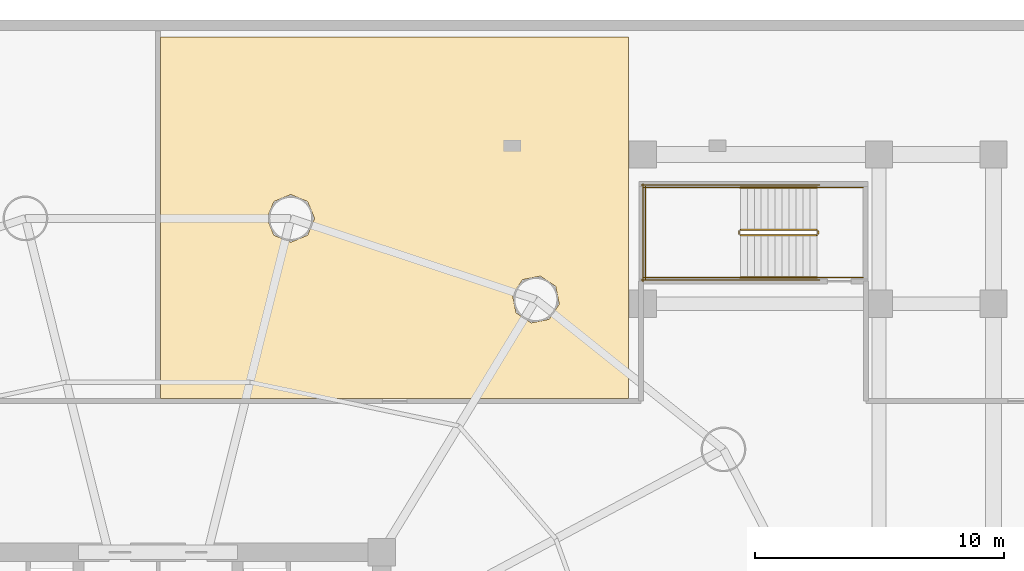
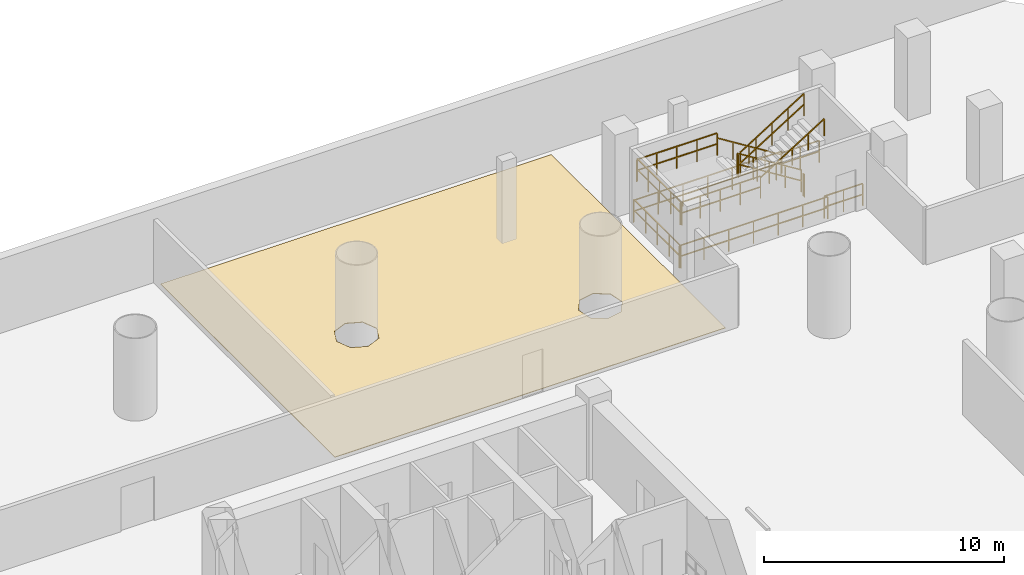
# One storey, part 11 of 11: 14 railings, 1 covering.
"""IFC4 building model written with IfcOpenShell, lengths in metres."""

import ifcopenshell
import ifcopenshell.guid

model = None  # the IFC model being written
_history = None  # IfcOwnerHistory: only IFC2X3 demands one
_inside = {}  # id of a spatial element -> (the spatial element, [elements in it])
_under = {}  # id of a project, library or spatial element -> (it, [spatial elements below it])
_declared = {}  # id of a project -> (the project, [libraries it declares])
_typed = {}  # id of a type object -> (the type object, [elements of that type])
_made_of = {}  # id of a material, layer set ... -> (it, [elements and type objects made of it])


def new_model(schema):
    """Start an empty IFC model of exactly this schema.

    Asked for "IFC4X3", IfcOpenShell would pick the latest addendum, in which some entities
    have other attributes; the version numbers below select the first issue.
    IFC2X3 requires an IfcOwnerHistory on every rooted entity: one is made here for all.
    """
    global model, _history
    if schema == "IFC4X3":
        model = ifcopenshell.file(schema_version=(4, 3, 0, 0))
    else:
        model = ifcopenshell.file(schema=schema)
    _inside.clear()
    _under.clear()
    _declared.clear()
    _typed.clear()
    _made_of.clear()
    _history = None
    if model.schema == "IFC2X3":
        org = make("IfcOrganization", Name="unknown")
        user = make(
            "IfcPersonAndOrganization",
            ThePerson=make("IfcPerson", FamilyName="unknown"),
            TheOrganization=org,
        )
        app = make(
            "IfcApplication",
            ApplicationDeveloper=org,
            Version="unknown",
            ApplicationFullName="unknown",
            ApplicationIdentifier="unknown",
        )
        _history = make(
            "IfcOwnerHistory",
            OwningUser=user,
            OwningApplication=app,
            ChangeAction="ADDED",
            CreationDate=0,
        )
    return model


def make(cls, **values):
    """One entity of the class cls with the attributes given. An attribute that is None is left unset."""
    return model.create_entity(
        cls, **{name: value for name, value in values.items() if value is not None}
    )


def rooted(cls, **values):
    """An entity with a GlobalId (a new one), such as an element, a storey or a relation."""
    return make(cls, GlobalId=ifcopenshell.guid.new(), OwnerHistory=_history, **values)


def si_unit(unit_type, name, prefix=None):
    """IfcSIUnit, for example si_unit("LENGTHUNIT", "METRE", prefix="MILLI")."""
    return make("IfcSIUnit", UnitType=unit_type, Prefix=prefix, Name=name)


def assignment(units):
    """IfcUnitAssignment: the units of a project."""
    return None if units is None else make("IfcUnitAssignment", Units=units)


def point(xyz):
    """IfcCartesianPoint."""
    return None if xyz is None else make("IfcCartesianPoint", Coordinates=xyz)


def direction(xyz):
    """IfcDirection."""
    return None if xyz is None else make("IfcDirection", DirectionRatios=xyz)


def frame(location, z_axis=None, x_axis=None):
    """IfcAxis2Placement3D, a coordinate frame: its origin and axes. An axis left out is left unset."""
    return make(
        "IfcAxis2Placement3D",
        Location=point(location),
        Axis=direction(z_axis),
        RefDirection=direction(x_axis),
    )


def frame_2d(location, x_axis=None):
    """IfcAxis2Placement2D, a coordinate frame in the plane: its origin and x axis."""
    return make(
        "IfcAxis2Placement2D", Location=point(location), RefDirection=direction(x_axis)
    )


def origin():
    """The frame at (0, 0, 0) with its axes left unset."""
    return frame((0.0, 0.0, 0.0))


def origin_2d():
    """The frame at (0, 0) in the plane with its x axis left unset."""
    return frame_2d((0.0, 0.0))


def place(relative_to, where):
    """IfcLocalPlacement: puts the frame where relative to a parent placement (None: the world)."""
    return make(
        "IfcLocalPlacement", PlacementRelTo=relative_to, RelativePlacement=where
    )


def context(
    kind, dimensions, precision=None, world=None, true_north=None, identifier=None
):
    """IfcGeometricRepresentationContext, for example the 3D "Model" context."""
    return make(
        "IfcGeometricRepresentationContext",
        ContextIdentifier=identifier,
        ContextType=kind,
        CoordinateSpaceDimension=dimensions,
        Precision=precision,
        WorldCoordinateSystem=world,
        TrueNorth=true_north,
    )


def subcontext(parent, identifier, kind, view, scale=None):
    """IfcGeometricRepresentationSubContext, for example "Body" below "Model"."""
    return make(
        "IfcGeometricRepresentationSubContext",
        ContextIdentifier=identifier,
        ContextType=kind,
        ParentContext=parent,
        TargetScale=scale,
        TargetView=view,
    )


def project(units=None, contexts=None):
    """IfcProject with its units and contexts."""
    return rooted(
        "IfcProject",
        Name="project",
        RepresentationContexts=contexts,
        UnitsInContext=assignment(units),
    )


def spatial(cls, under=None, at=None, **own):
    """A site, building, storey or space (cls), placed at a placement, below another one or the project."""
    s = rooted(cls, ObjectPlacement=at, **own)
    if under is not None:
        _under.setdefault(under.id(), (under, []))[1].append(s)
    return s


def polyline(points):
    """IfcPolyline through the points."""
    return make("IfcPolyline", Points=[point(p) for p in points])


def profile(cls, at=None, kind="AREA", **sizes):
    """A parametric profile (cls). Its sizes go by their IFC names, for example OverallWidth=200.0."""
    return make(cls, ProfileType=kind, Position=at, **sizes)


def rectangle(**sizes):
    """IfcRectangleProfileDef."""
    return profile("IfcRectangleProfileDef", **sizes)


def outline(outer, holes=None, kind="AREA"):
    """IfcArbitraryClosedProfileDef: a profile drawn as a closed curve; with holes, ...WithVoids."""
    if holes is None:
        return make("IfcArbitraryClosedProfileDef", ProfileType=kind, OuterCurve=outer)
    return make(
        "IfcArbitraryProfileDefWithVoids",
        ProfileType=kind,
        OuterCurve=outer,
        InnerCurves=holes,
    )


def extrude(swept, where, along, depth):
    """IfcExtrudedAreaSolid: the profile swept, set in the frame where, extruded along a direction by depth."""
    return make(
        "IfcExtrudedAreaSolid",
        SweptArea=swept,
        Position=where,
        ExtrudedDirection=direction(along),
        Depth=depth,
    )


def shape(context_of_items, identifier, shape_type, items):
    """IfcShapeRepresentation: the items that make up one representation, for example the "Body"."""
    return make(
        "IfcShapeRepresentation",
        ContextOfItems=context_of_items,
        RepresentationIdentifier=identifier,
        RepresentationType=shape_type,
        Items=items,
    )


def material(Name=None, Category=None):
    """IfcMaterial."""
    return make("IfcMaterial", Name=Name, Category=Category)


def layer(
    of_material, thickness, ventilated=None, Name=None, Category=None, Priority=None
):
    """IfcMaterialLayer: one layer of a wall or slab, of a material (None: an air gap)."""
    return make(
        "IfcMaterialLayer",
        Material=of_material,
        LayerThickness=thickness,
        IsVentilated=ventilated,
        Name=Name,
        Category=Category,
        Priority=Priority,
    )


def layer_set(layers, Name=None):
    """IfcMaterialLayerSet."""
    return make("IfcMaterialLayerSet", MaterialLayers=layers, LayerSetName=Name)


def made_of(thing, what):
    """Note that an element or type object is made of a material, layer set ...; save() writes the relation."""
    if what is not None:
        _made_of.setdefault(what.id(), (what, []))[1].append(thing)
    return thing


def type_object(cls, material=None, **own):
    """A type object (cls), such as IfcWallType, which elements share."""
    return made_of(rooted(cls, **own), material)


def element(
    cls,
    number,
    at=None,
    inside=None,
    cuts=None,
    type_object=None,
    material=None,
    context=None,
    identifier="Body",
    shape_type=None,
    held_by="IfcProductDefinitionShape",
    body=None,
    shapes=None,
    **own,
):
    """One element of the class cls, such as IfcWall. Its Tag is "e" and its number.

    at: its placement. inside: the storey or other place that contains it. cuts: it is an
    opening in that element (IfcRelVoidsElement). A single representation is given by context,
    identifier, shape_type and body (its items); several are given by shapes. held_by: the class
    of the entity that holds the representations. save() writes the other relations.
    """
    e = rooted(cls, Tag="e%d" % number, ObjectPlacement=at, **own)
    if body is not None:
        shapes = [shape(context, identifier, shape_type, body)]
    if shapes is not None:
        e.Representation = make(held_by, Representations=shapes)
    if inside is not None:
        _inside.setdefault(inside.id(), (inside, []))[1].append(e)
    if cuts is not None:
        rooted(
            "IfcRelVoidsElement", RelatingBuildingElement=cuts, RelatedOpeningElement=e
        )
    if type_object is not None:
        _typed.setdefault(type_object.id(), (type_object, []))[1].append(e)
    return made_of(e, material)


def aggregate(whole, parts):
    """IfcRelAggregates: a whole, such as a stair, and the parts it consists of."""
    return rooted("IfcRelAggregates", RelatingObject=whole, RelatedObjects=parts)


def save(model, path):
    """Write the relations noted so far, then the file.

    IfcRelAggregates (storeys below a building ...), IfcRelContainedInSpatialStructure (elements
    in a storey), IfcRelDefinesByType, IfcRelAssociatesMaterial and IfcRelDeclares: one each for
    every whole, place, type object, material and project.
    """
    for whole, parts in _under.values():
        aggregate(whole, parts)
    for where, things in _inside.values():
        rooted(
            "IfcRelContainedInSpatialStructure",
            RelatedElements=things,
            RelatingStructure=where,
        )
    for kind, things in _typed.values():
        rooted("IfcRelDefinesByType", RelatedObjects=things, RelatingType=kind)
    for what, things in _made_of.values():
        rooted("IfcRelAssociatesMaterial", RelatedObjects=things, RelatingMaterial=what)
    for by, libraries in _declared.values():
        rooted("IfcRelDeclares", RelatingContext=by, RelatedDefinitions=libraries)
    model.write(path)


model = new_model("IFC4")

# Units and contexts
model_context = context("Model", 3, precision=1e-05, world=origin(), true_north=direction((-0.2419218956, 0.970295726276)))
body_context = subcontext(model_context, "Body", "Model", "MODEL_VIEW")
ifc_project = project(units=[si_unit("LENGTHUNIT", "METRE"), si_unit("AREAUNIT", "SQUARE_METRE"), si_unit("VOLUMEUNIT", "CUBIC_METRE"), si_unit("PLANEANGLEUNIT", "RADIAN"), si_unit("MASSUNIT", "GRAM", prefix="KILO")], contexts=[model_context])

# Site, building, storey
site_placement = place(None, origin())
site = spatial("IfcSite", under=ifc_project, at=site_placement, CompositionType="ELEMENT")
building_placement = place(site_placement, origin())
building = spatial("IfcBuilding", under=site, at=building_placement, Name="Cobrevalo Terracotta Tower", CompositionType="ELEMENT")
storey_placement = place(building_placement, frame((0.0, 0.0, -4.199951171875)))
storey = spatial("IfcBuildingStorey", under=building, at=storey_placement, Name="B01", CompositionType="ELEMENT", Elevation=-4.199951171875)

# Covering
ifc_material_1 = material(Name="Honed terracotta and granite tile", Category="masonry")
ifc_layer = layer(ifc_material_1, 0.034912109375)
ifc_layer_set = layer_set([ifc_layer], Name="Honed terracotta and granite tile")
covering_type = type_object("IfcCoveringType", Name="Honed Terracotta & Granite Interior Flooring 35", PredefinedType="FLOORING", material=ifc_layer_set)
covering_placement = place(storey_placement, origin())
element("IfcCovering", 1, at=covering_placement, inside=storey, type_object=covering_type, Name="Bicycle Storage Room floor finish", PredefinedType="FLOORING", context=body_context, shape_type="SweptSolid", body=[
    extrude(outline(polyline([(56.929931640625, 55.530029296875), (56.929931640625, 40.97998046875), (38.10009765625, 40.97998046875), (38.10009765625, 55.530029296875), (56.929931640625, 55.530029296875)]), holes=[polyline([(53.728271484375, 44.16943359375), (54.136474609375, 44.7802734375), (53.9931640625, 45.5009765625), (53.382080078125, 45.9091796875), (52.661376953125, 45.765869140625), (52.253173828125, 45.155029296875), (52.396484375, 44.434326171875), (53.007568359375, 44.02587890625), (53.728271484375, 44.16943359375)]), polyline([(44.0146484375, 47.55126953125), (44.2958984375, 48.230224609375), (44.0146484375, 48.908935546875), (43.335693359375, 49.190185546875), (42.65673828125, 48.908935546875), (42.375732421875, 48.230224609375), (42.65673828125, 47.55126953125), (43.335693359375, 47.27001953125), (44.0146484375, 47.55126953125)])]), origin(), (0.0, 0.0, 1.0), 0.030029296875),
])

# Railings
ifc_material_2 = material(Name="Brushed stainless steel", Category="steel")
railing_type_1 = type_object("IfcRailingType", Name="Stainless Steel Stair Handrail 900", PredefinedType="HANDRAIL", material=ifc_material_2)
railing_1_placement = place(storey_placement, frame((64.5, 49.469970703125, 0.175048828125)))
element("IfcRailing", 2, at=railing_1_placement, inside=storey, type_object=railing_type_1, Name="B01 ST-P2 stair handrail 1", PredefinedType="HANDRAIL", context=body_context, shape_type="SweptSolid", body=[
    extrude(rectangle(XDim=0.048095703125, YDim=0.048095703125, at=origin_2d()), frame((0.0, 0.0, 0.8759765625), z_axis=(-0.848028513186, 0.0, 0.529950602248), x_axis=(0.0, -1.0, 0.0)), (0.0, 0.0, 1.0), 3.632080078125),
    extrude(rectangle(XDim=0.0419921875, YDim=0.0419921875, at=origin_2d()), origin(), (0.0, 0.0, 1.0), 0.851806640625),
    extrude(rectangle(XDim=0.0419921875, YDim=0.0419921875, at=origin_2d()), frame((-0.77001953125, 0.0, 0.481201171875)), (0.0, 0.0, 1.0), 0.851806640625),
    extrude(rectangle(XDim=0.0419921875, YDim=0.0419921875, at=origin_2d()), frame((-1.5400390625, 0.0, 0.96240234375)), (0.0, 0.0, 1.0), 0.851806640625),
    extrude(rectangle(XDim=0.0419921875, YDim=0.0419921875, at=origin_2d()), frame((-2.31005859375, 0.0, 1.443603515625)), (0.0, 0.0, 1.0), 0.851806640625),
    extrude(rectangle(XDim=0.0419921875, YDim=0.0419921875, at=origin_2d()), frame((-3.080078125, 0.0, 1.9248046875)), (0.0, 0.0, 1.0), 0.851806640625),
])
railing_2_placement = place(storey_placement, frame((61.419921875, 45.85009765625, 2.27490234375)))
element("IfcRailing", 3, at=railing_2_placement, inside=storey, type_object=railing_type_1, Name="B01 ST-P2 stair handrail 2", PredefinedType="HANDRAIL", context=body_context, shape_type="SweptSolid", body=[
    extrude(rectangle(XDim=0.048095703125, YDim=0.048095703125, at=origin_2d()), frame((0.0, 0.0, 0.8759765625), z_axis=(0.847998304005, 0.0, 0.529998940003), x_axis=(0.0, 1.0, 0.0)), (0.0, 0.0, 1.0), 3.632080078125),
    extrude(rectangle(XDim=0.0419921875, YDim=0.0419921875, at=origin_2d()), origin(), (0.0, 0.0, 1.0), 0.851806640625),
    extrude(rectangle(XDim=0.0419921875, YDim=0.0419921875, at=origin_2d()), frame((0.77001953125, 0.0, 0.481201171875)), (0.0, 0.0, 1.0), 0.851806640625),
    extrude(rectangle(XDim=0.0419921875, YDim=0.0419921875, at=origin_2d()), frame((1.5400390625, 0.0, 0.96240234375)), (0.0, 0.0, 1.0), 0.851806640625),
    extrude(rectangle(XDim=0.0419921875, YDim=0.0419921875, at=origin_2d()), frame((2.31005859375, 0.0, 1.44384765625)), (0.0, 0.0, 1.0), 0.851806640625),
    extrude(rectangle(XDim=0.0419921875, YDim=0.0419921875, at=origin_2d()), frame((3.080078125, 0.0, 1.925048828125)), (0.0, 0.0, 1.0), 0.851806640625),
])
ifc_material_3 = material(Name="Painted galvanized steel", Category="steel")
railing_type_2 = type_object("IfcRailingType", Name="Stair Well Guard Balustrade 1150", PredefinedType="GUARDRAIL", material=ifc_material_3)
railing_3_placement = place(storey_placement, frame((64.5, 47.77001953125, 0.175048828125)))
element("IfcRailing", 4, at=railing_3_placement, inside=storey, type_object=railing_type_2, Name="B01 ST-P2 stair guard 1", PredefinedType="GUARDRAIL", context=body_context, shape_type="SweptSolid", body=[
    extrude(rectangle(XDim=0.048095703125, YDim=0.048095703125, at=origin_2d()), frame((0.0, 0.0, 1.1259765625), z_axis=(-0.848028513186, 0.0, 0.529950602248), x_axis=(0.0, -1.0, 0.0)), (0.0, 0.0, 1.0), 3.632080078125),
    extrude(rectangle(XDim=0.048095703125, YDim=0.048095703125, at=origin_2d()), frame((0.0, 0.0, 0.574951171875), z_axis=(-0.848028513186, 0.0, 0.529950602248), x_axis=(0.0, -1.0, 0.0)), (0.0, 0.0, 1.0), 3.632080078125),
    extrude(rectangle(XDim=0.0419921875, YDim=0.0419921875, at=origin_2d()), origin(), (0.0, 0.0, 1.0), 1.101806640625),
    extrude(rectangle(XDim=0.0419921875, YDim=0.0419921875, at=origin_2d()), frame((-0.77001953125, 0.0, 0.481201171875)), (0.0, 0.0, 1.0), 1.101806640625),
    extrude(rectangle(XDim=0.0419921875, YDim=0.0419921875, at=origin_2d()), frame((-1.5400390625, 0.0, 0.96240234375)), (0.0, 0.0, 1.0), 1.101806640625),
    extrude(rectangle(XDim=0.0419921875, YDim=0.0419921875, at=origin_2d()), frame((-2.31005859375, 0.0, 1.443603515625)), (0.0, 0.0, 1.0), 1.101806640625),
    extrude(rectangle(XDim=0.0419921875, YDim=0.0419921875, at=origin_2d()), frame((-3.080078125, 0.0, 1.9248046875)), (0.0, 0.0, 1.0), 1.101806640625),
])
railing_4_placement = place(storey_placement, frame((61.3701171875, 47.719970703125, 2.099853515625)))
element("IfcRailing", 5, at=railing_4_placement, inside=storey, type_object=railing_type_2, Name="B01 ST-P2 stair guard 2", PredefinedType="GUARDRAIL", context=body_context, shape_type="SweptSolid", body=[
    extrude(rectangle(XDim=0.048095703125, YDim=0.048095703125, at=origin_2d()), frame((0.0, 0.0, 1.1259765625), z_axis=(0.0, -1.0, 0.0), x_axis=(1.0, 0.0, 0.0)), (0.0, 0.0, 1.0), 0.119873046875),
    extrude(rectangle(XDim=0.048095703125, YDim=0.048095703125, at=origin_2d()), frame((0.0, 0.0, 0.574951171875), z_axis=(0.0, -1.0, 0.0), x_axis=(1.0, 0.0, 0.0)), (0.0, 0.0, 1.0), 0.119873046875),
    extrude(rectangle(XDim=0.0419921875, YDim=0.0419921875, at=origin_2d()), origin(), (0.0, 0.0, 1.0), 1.101806640625),
    extrude(rectangle(XDim=0.0419921875, YDim=0.0419921875, at=origin_2d()), frame((0.0, -0.119873046875, 0.0)), (0.0, 0.0, 1.0), 1.101806640625),
])
for number, where, name in (
    (6, (61.419921875, 49.469970703125, 2.099853515625), "B01 ST-P2 stair guard 3"),
    (7, (61.419921875, 45.85009765625, 2.099853515625), "B01 ST-P2 stair guard 4"),
):
    element("IfcRailing", number, at=place(storey_placement, frame(where)), inside=storey, type_object=railing_type_2, Name=name, PredefinedType="GUARDRAIL", context=body_context, shape_type="SweptSolid", body=[
        extrude(rectangle(XDim=0.048095703125, YDim=0.048095703125, at=origin_2d()), frame((0.0, 0.0, 1.1259765625), z_axis=(-1.0, 0.0, 0.0), x_axis=(0.0, -1.0, 0.0)), (0.0, 0.0, 1.0), 3.869873046875),
        extrude(rectangle(XDim=0.048095703125, YDim=0.048095703125, at=origin_2d()), frame((0.0, 0.0, 0.574951171875), z_axis=(-1.0, 0.0, 0.0), x_axis=(0.0, -1.0, 0.0)), (0.0, 0.0, 1.0), 3.869873046875),
        extrude(rectangle(XDim=0.0419921875, YDim=0.0419921875, at=origin_2d()), origin(), (0.0, 0.0, 1.0), 1.101806640625),
        extrude(rectangle(XDim=0.0419921875, YDim=0.0419921875, at=origin_2d()), frame((-0.967529296875, 0.0, 0.0)), (0.0, 0.0, 1.0), 1.101806640625),
        extrude(rectangle(XDim=0.0419921875, YDim=0.0419921875, at=origin_2d()), frame((-1.93505859375, 0.0, 0.0)), (0.0, 0.0, 1.0), 1.101806640625),
        extrude(rectangle(XDim=0.0419921875, YDim=0.0419921875, at=origin_2d()), frame((-2.90234375, 0.0, 0.0)), (0.0, 0.0, 1.0), 1.101806640625),
        extrude(rectangle(XDim=0.0419921875, YDim=0.0419921875, at=origin_2d()), frame((-3.869873046875, 0.0, 0.0)), (0.0, 0.0, 1.0), 1.101806640625),
    ])
railing_5_placement = place(storey_placement, frame((57.60009765625, 49.52001953125, 2.099853515625)))
element("IfcRailing", 8, at=railing_5_placement, inside=storey, type_object=railing_type_2, Name="B01 ST-P2 stair guard 5", PredefinedType="GUARDRAIL", context=body_context, shape_type="SweptSolid", body=[
    extrude(rectangle(XDim=0.048095703125, YDim=0.048095703125, at=origin_2d()), frame((0.0, 0.0, 1.1259765625), z_axis=(0.0, -1.0, 0.0), x_axis=(1.0, 0.0, 0.0)), (0.0, 0.0, 1.0), 3.719970703125),
    extrude(rectangle(XDim=0.048095703125, YDim=0.048095703125, at=origin_2d()), frame((0.0, 0.0, 0.574951171875), z_axis=(0.0, -1.0, 0.0), x_axis=(1.0, 0.0, 0.0)), (0.0, 0.0, 1.0), 3.719970703125),
    extrude(rectangle(XDim=0.0419921875, YDim=0.0419921875, at=origin_2d()), origin(), (0.0, 0.0, 1.0), 1.101806640625),
    extrude(rectangle(XDim=0.0419921875, YDim=0.0419921875, at=origin_2d()), frame((0.0, -0.929931640625, 0.0)), (0.0, 0.0, 1.0), 1.101806640625),
    extrude(rectangle(XDim=0.0419921875, YDim=0.0419921875, at=origin_2d()), frame((0.0, -1.85986328125, 0.0)), (0.0, 0.0, 1.0), 1.101806640625),
    extrude(rectangle(XDim=0.0419921875, YDim=0.0419921875, at=origin_2d()), frame((0.0, -2.7900390625, 0.0)), (0.0, 0.0, 1.0), 1.101806640625),
    extrude(rectangle(XDim=0.0419921875, YDim=0.0419921875, at=origin_2d()), frame((0.0, -3.719970703125, 0.0)), (0.0, 0.0, 1.0), 1.101806640625),
])
railing_6_placement = place(storey_placement, frame((61.419921875, 47.550048828125, 2.27490234375)))
element("IfcRailing", 9, at=railing_6_placement, inside=storey, type_object=railing_type_2, Name="B01 ST-P2 stair guard 6", PredefinedType="GUARDRAIL", context=body_context, shape_type="SweptSolid", body=[
    extrude(rectangle(XDim=0.048095703125, YDim=0.048095703125, at=origin_2d()), frame((0.0, 0.0, 1.1259765625), z_axis=(0.847998304005, 0.0, 0.529998940003), x_axis=(0.0, 1.0, 0.0)), (0.0, 0.0, 1.0), 3.632080078125),
    extrude(rectangle(XDim=0.048095703125, YDim=0.048095703125, at=origin_2d()), frame((0.0, 0.0, 0.574951171875), z_axis=(0.847998304005, 0.0, 0.529998940003), x_axis=(0.0, 1.0, 0.0)), (0.0, 0.0, 1.0), 3.632080078125),
    extrude(rectangle(XDim=0.0419921875, YDim=0.0419921875, at=origin_2d()), origin(), (0.0, 0.0, 1.0), 1.101806640625),
    extrude(rectangle(XDim=0.0419921875, YDim=0.0419921875, at=origin_2d()), frame((0.77001953125, 0.0, 0.481201171875)), (0.0, 0.0, 1.0), 1.101806640625),
    extrude(rectangle(XDim=0.0419921875, YDim=0.0419921875, at=origin_2d()), frame((1.5400390625, 0.0, 0.96240234375)), (0.0, 0.0, 1.0), 1.101806640625),
    extrude(rectangle(XDim=0.0419921875, YDim=0.0419921875, at=origin_2d()), frame((2.31005859375, 0.0, 1.44384765625)), (0.0, 0.0, 1.0), 1.101806640625),
    extrude(rectangle(XDim=0.0419921875, YDim=0.0419921875, at=origin_2d()), frame((3.080078125, 0.0, 1.925048828125)), (0.0, 0.0, 1.0), 1.101806640625),
])
railing_7_placement = place(storey_placement, frame((64.550048828125, 47.719970703125, 0.0)))
element("IfcRailing", 10, at=railing_7_placement, inside=storey, type_object=railing_type_2, Name="B01 ST-P2 stair guard 7", PredefinedType="GUARDRAIL", context=body_context, shape_type="SweptSolid", body=[
    extrude(rectangle(XDim=0.048095703125, YDim=0.048095703125, at=origin_2d()), frame((0.0, 0.0, 1.1259765625), z_axis=(0.0, -1.0, 0.0), x_axis=(1.0, 0.0, 0.0)), (0.0, 0.0, 1.0), 0.119873046875),
    extrude(rectangle(XDim=0.048095703125, YDim=0.048095703125, at=origin_2d()), frame((0.0, 0.0, 0.574951171875), z_axis=(0.0, -1.0, 0.0), x_axis=(1.0, 0.0, 0.0)), (0.0, 0.0, 1.0), 0.119873046875),
    extrude(rectangle(XDim=0.0419921875, YDim=0.0419921875, at=origin_2d()), origin(), (0.0, 0.0, 1.0), 1.101806640625),
    extrude(rectangle(XDim=0.0419921875, YDim=0.0419921875, at=origin_2d()), frame((0.0, -0.119873046875, 0.0)), (0.0, 0.0, 1.0), 1.101806640625),
])
for number, where, name in (
    (11, (66.35009765625, 49.469970703125, 0.0), "B01 ST-P2 stair guard 8"),
    (12, (66.35009765625, 45.85009765625, 0.0), "B01 ST-P2 stair guard 9"),
):
    element("IfcRailing", number, at=place(storey_placement, frame(where)), inside=storey, type_object=railing_type_2, Name=name, PredefinedType="GUARDRAIL", context=body_context, shape_type="SweptSolid", body=[
        extrude(rectangle(XDim=0.048095703125, YDim=0.048095703125, at=origin_2d()), frame((0.0, 0.0, 1.1259765625), z_axis=(-1.0, 0.0, 0.0), x_axis=(0.0, -1.0, 0.0)), (0.0, 0.0, 1.0), 1.85009765625),
        extrude(rectangle(XDim=0.048095703125, YDim=0.048095703125, at=origin_2d()), frame((0.0, 0.0, 0.574951171875), z_axis=(-1.0, 0.0, 0.0), x_axis=(0.0, -1.0, 0.0)), (0.0, 0.0, 1.0), 1.85009765625),
        extrude(rectangle(XDim=0.0419921875, YDim=0.0419921875, at=origin_2d()), origin(), (0.0, 0.0, 1.0), 1.101806640625),
        extrude(rectangle(XDim=0.0419921875, YDim=0.0419921875, at=origin_2d()), frame((-0.925048828125, 0.0, 0.0)), (0.0, 0.0, 1.0), 1.101806640625),
        extrude(rectangle(XDim=0.0419921875, YDim=0.0419921875, at=origin_2d()), frame((-1.85009765625, 0.0, 0.0)), (0.0, 0.0, 1.0), 1.101806640625),
    ])
for number, where, name in (
    (13, (64.60009765625, 49.570068359375, 0.0), "B01 ST-P2 stair guard 10"),
    (14, (64.60009765625, 45.75, 0.0), "B01 ST-P2 stair guard 11"),
):
    element("IfcRailing", number, at=place(storey_placement, frame(where)), inside=storey, type_object=railing_type_2, Name=name, PredefinedType="GUARDRAIL", context=body_context, shape_type="SweptSolid", body=[
        extrude(rectangle(XDim=0.048095703125, YDim=0.048095703125, at=origin_2d()), frame((0.0, 0.0, 1.1259765625), z_axis=(-1.0, 0.0, 0.0), x_axis=(0.0, -1.0, 0.0)), (0.0, 0.0, 1.0), 7.150146484375),
        extrude(rectangle(XDim=0.048095703125, YDim=0.048095703125, at=origin_2d()), frame((0.0, 0.0, 0.574951171875), z_axis=(-1.0, 0.0, 0.0), x_axis=(0.0, -1.0, 0.0)), (0.0, 0.0, 1.0), 7.150146484375),
        extrude(rectangle(XDim=0.0419921875, YDim=0.0419921875, at=origin_2d()), origin(), (0.0, 0.0, 1.0), 1.101806640625),
        extrude(rectangle(XDim=0.0419921875, YDim=0.0419921875, at=origin_2d()), frame((-1.191650390625, 0.0, 0.0)), (0.0, 0.0, 1.0), 1.101806640625),
        extrude(rectangle(XDim=0.0419921875, YDim=0.0419921875, at=origin_2d()), frame((-2.38330078125, 0.0, 0.0)), (0.0, 0.0, 1.0), 1.101806640625),
        extrude(rectangle(XDim=0.0419921875, YDim=0.0419921875, at=origin_2d()), frame((-3.5751953125, 0.0, 0.0)), (0.0, 0.0, 1.0), 1.101806640625),
        extrude(rectangle(XDim=0.0419921875, YDim=0.0419921875, at=origin_2d()), frame((-4.766845703125, 0.0, 0.0)), (0.0, 0.0, 1.0), 1.101806640625),
        extrude(rectangle(XDim=0.0419921875, YDim=0.0419921875, at=origin_2d()), frame((-5.95849609375, 0.0, 0.0)), (0.0, 0.0, 1.0), 1.101806640625),
        extrude(rectangle(XDim=0.0419921875, YDim=0.0419921875, at=origin_2d()), frame((-7.150146484375, 0.0, 0.0)), (0.0, 0.0, 1.0), 1.101806640625),
    ])
railing_8_placement = place(storey_placement, frame((57.5, 49.6201171875, 0.0)))
element("IfcRailing", 15, at=railing_8_placement, inside=storey, type_object=railing_type_2, Name="B01 ST-P2 stair guard 12", PredefinedType="GUARDRAIL", context=body_context, shape_type="SweptSolid", body=[
    extrude(rectangle(XDim=0.048095703125, YDim=0.048095703125, at=origin_2d()), frame((0.0, 0.0, 1.1259765625), z_axis=(0.0, -1.0, 0.0), x_axis=(1.0, 0.0, 0.0)), (0.0, 0.0, 1.0), 3.920166015625),
    extrude(rectangle(XDim=0.048095703125, YDim=0.048095703125, at=origin_2d()), frame((0.0, 0.0, 0.574951171875), z_axis=(0.0, -1.0, 0.0), x_axis=(1.0, 0.0, 0.0)), (0.0, 0.0, 1.0), 3.920166015625),
    extrude(rectangle(XDim=0.0419921875, YDim=0.0419921875, at=origin_2d()), origin(), (0.0, 0.0, 1.0), 1.101806640625),
    extrude(rectangle(XDim=0.0419921875, YDim=0.0419921875, at=origin_2d()), frame((0.0, -0.97998046875, 0.0)), (0.0, 0.0, 1.0), 1.101806640625),
    extrude(rectangle(XDim=0.0419921875, YDim=0.0419921875, at=origin_2d()), frame((0.0, -1.9599609375, 0.0)), (0.0, 0.0, 1.0), 1.101806640625),
    extrude(rectangle(XDim=0.0419921875, YDim=0.0419921875, at=origin_2d()), frame((0.0, -2.940185546875, 0.0)), (0.0, 0.0, 1.0), 1.101806640625),
    extrude(rectangle(XDim=0.0419921875, YDim=0.0419921875, at=origin_2d()), frame((0.0, -3.920166015625, 0.0)), (0.0, 0.0, 1.0), 1.101806640625),
])

save(model, "model.ifc")
